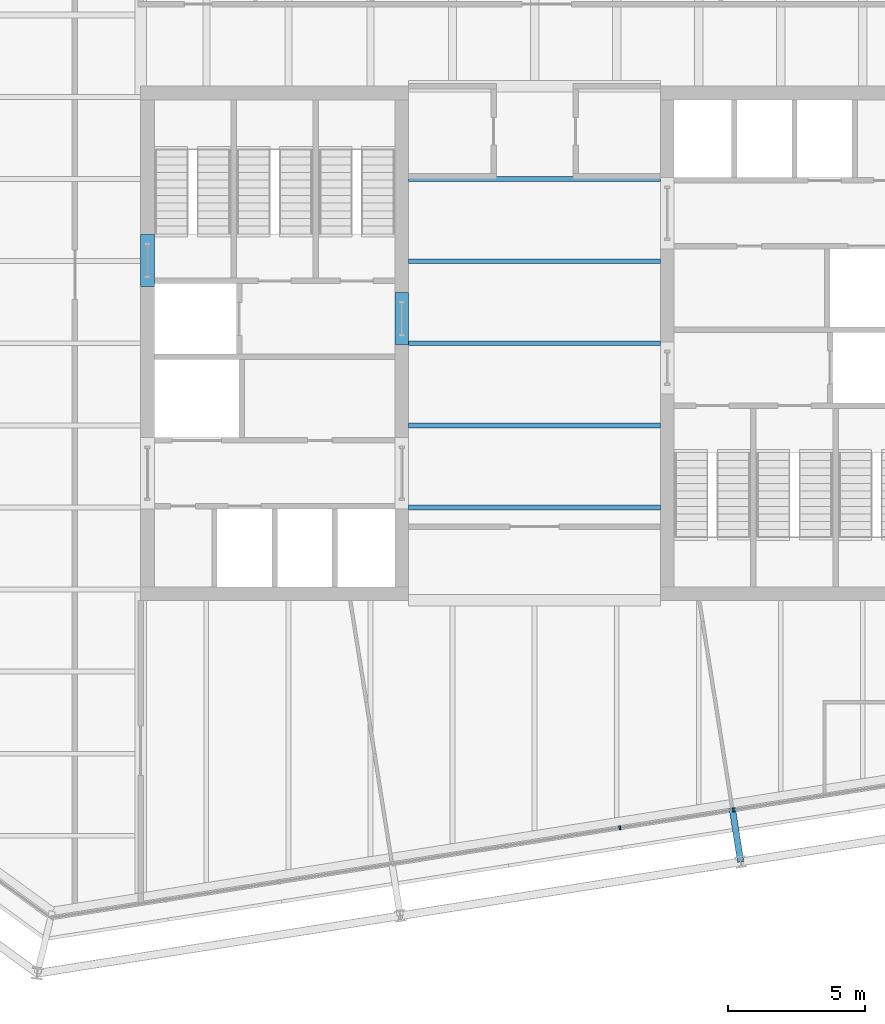
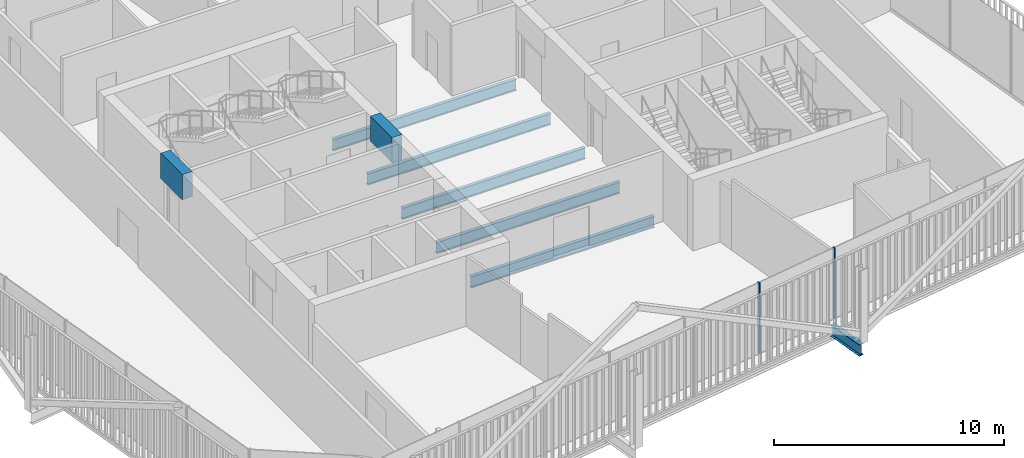
# One storey, part 8 of 21: 8 beams, 2 members, 1 element without a shape of its own.
"""IFC4 building model written with IfcOpenShell, lengths in metres."""

from ifc_helpers import new_model, si_unit, direction, frame, origin, origin_2d, place, context, subcontext, project, spatial, rectangle, i_section, extrude, material, layer, layer_set, material_profile, profile_set, type_object, element, aggregate, save


model = new_model("IFC4")

# Units and contexts
model_context = context("Model", 3, precision=1e-05, world=origin(), true_north=direction((0.0, 1.0)))
body_context = subcontext(model_context, "Body", "Model", "MODEL_VIEW")
ifc_project = project(units=[si_unit("LENGTHUNIT", "METRE"), si_unit("AREAUNIT", "SQUARE_METRE"), si_unit("VOLUMEUNIT", "CUBIC_METRE"), si_unit("PLANEANGLEUNIT", "RADIAN"), si_unit("MASSUNIT", "GRAM", prefix="KILO")], contexts=[model_context])

# Site, building, storey
site_placement = place(None, origin())
site = spatial("IfcSite", under=ifc_project, at=site_placement, CompositionType="ELEMENT")
building_placement = place(site_placement, origin())
building = spatial("IfcBuilding", under=site, at=building_placement, Name="Millrace Tower", CompositionType="ELEMENT")
storey_placement = place(building_placement, frame((0.0, 0.0, 228.10009765625)))
storey = spatial("IfcBuildingStorey", under=building, at=storey_placement, Name="L52", CompositionType="ELEMENT", Elevation=228.10009765625)

# Curtain wall, members
ifc_material_1 = material(Name="Aluminium and glass", Category="aluminium")
ifc_layer = layer(ifc_material_1, 0.14990234375)
ifc_layer_set = layer_set([ifc_layer], Name="Aluminium and glass")
curtain_wall_type = type_object("IfcCurtainWallType", Name="CW-1 office vision curtain wall", PredefinedType="NOTDEFINED", material=ifc_layer_set)
curtain_wall_placement = place(storey_placement, origin())
curtain_wall = element("IfcCurtainWall", 1, at=curtain_wall_placement, inside=storey, type_object=curtain_wall_type, Name="Curtain wall D-F02 L52", PredefinedType="NOTDEFINED")
ifc_material_2 = material(Name="Aluminium", Category="aluminium")
ifc_material_profile_1 = material_profile(ifc_material_2, rectangle(XDim=0.06494140625, YDim=0.14990234375, at=origin_2d()))
ifc_profile_set_1 = profile_set([ifc_material_profile_1], Name="Aluminium")
member_type = type_object("IfcMemberType", Name="CW-1 office vision curtain wall mullion", PredefinedType="MULLION", material=ifc_profile_set_1)
member_1_placement = place(storey_placement, frame((3.115966796875, -17.707275390625, 0.139892578125), z_axis=(0.0, 0.0, 1.0), x_axis=(0.987688339511, 0.156434471884, 0.0)))
member_1 = element("IfcMember", 2, at=member_1_placement, type_object=member_type, Name="CW1 mullion D-F02.6", PredefinedType="MULLION", context=body_context, shape_type="SweptSolid", body=[
    extrude(rectangle(XDim=0.06494140625, YDim=0.14990234375, at=origin_2d()), origin(), (0.0, 0.0, 1.0), 3.760009765625),
])
member_2_placement = place(storey_placement, frame((7.26416015625, -17.05029296875, 0.139892578125), z_axis=(0.0, 0.0, 1.0), x_axis=(0.987688339511, 0.156434471884, 0.0)))
member_2 = element("IfcMember", 3, at=member_2_placement, type_object=member_type, Name="CW1 mullion D-F02.7", PredefinedType="MULLION", context=body_context, shape_type="SweptSolid", body=[
    extrude(rectangle(XDim=0.06494140625, YDim=0.14990234375, at=origin_2d()), origin(), (0.0, 0.0, 1.0), 3.760009765625),
])
aggregate(curtain_wall, [member_1, member_2])

# Beams
ifc_material_3 = material(Name="Concrete C60", Category="concrete")
ifc_material_profile_2 = material_profile(ifc_material_3, rectangle(XDim=0.5, YDim=1.340087890625, at=origin_2d()))
ifc_profile_set_2 = profile_set([ifc_material_profile_2], Name="Concrete C60")
beam_type_1 = type_object("IfcBeamType", Name="Coupling beam 500 x 1340 Concrete C60, 1300 opening", PredefinedType="BEAM", material=ifc_profile_set_2)
beam_1_placement = place(storey_placement, frame((-14.14990234375, 2.080078125, 3.06982421875), z_axis=(0.0, 1.0, 0.0), x_axis=(-1.0, 0.0, 0.0)))
element("IfcBeam", 4, at=beam_1_placement, inside=storey, type_object=beam_type_1, Name="Coupling beam W L52", PredefinedType="BEAM", context=body_context, shape_type="SweptSolid", body=[
    extrude(rectangle(XDim=0.5, YDim=1.340087890625, at=origin_2d()), origin(), (0.0, 0.0, 1.0), 1.89990234375),
])
beam_2_placement = place(storey_placement, frame((-4.85009765625, -0.050048828125, 3.06982421875), z_axis=(0.0, 1.0, 0.0), x_axis=(-1.0, 0.0, 0.0)))
element("IfcBeam", 5, at=beam_2_placement, inside=storey, type_object=beam_type_1, Name="Coupling beam W L52", PredefinedType="BEAM", context=body_context, shape_type="SweptSolid", body=[
    extrude(rectangle(XDim=0.5, YDim=1.340087890625, at=origin_2d()), origin(), (0.0, 0.0, 1.0), 1.900146484375),
])
ifc_material_4 = material(Name="Steel ASTM A992 Grade 50", Category="steel")
ifc_material_profile_3 = material_profile(ifc_material_4, i_section(OverallWidth=0.177978515625, OverallDepth=0.599365234375, WebThickness=0.010009765625, FlangeThickness=0.012939453125, FilletRadius=0.012939453125, at=origin_2d()))
ifc_profile_set_3 = profile_set([ifc_material_profile_3], Name="Steel ASTM A992 Grade 50")
beam_type_2 = type_object("IfcBeamType", Name="Floor beam W24x55", PredefinedType="JOIST", material=ifc_profile_set_3)
for number, where, z_axis, x_axis, name in (
    (6, (-4.60009765625, -6.0, -0.459716796875), (1.0, 0.0, 0.0), (0.0, 1.0, 0.0), "BM-D-L52-S1-S008"),
    (7, (-4.60009765625, -3.0, -0.459716796875), (1.0, 0.0, 0.0), (0.0, 1.0, 0.0), "BM-D-L52-S1-S011"),
    (8, (-4.60009765625, 0.0, -0.459716796875), (1.0, 0.0, 0.0), (0.0, 1.0, 0.0), "BM-D-L52-S1-S014"),
    (9, (-4.60009765625, 3.0, -0.459716796875), (1.0, 0.0, 0.0), (0.0, 1.0, 0.0), "BM-D-L52-S1-S017"),
    (10, (-4.60009765625, 6.0, -0.459716796875), (1.0, 0.0, 0.0), (0.0, 1.0, 0.0), "BM-D-L52-S1-S020"),
):
    element("IfcBeam", number, at=place(storey_placement, frame(where, z_axis=z_axis, x_axis=x_axis)), inside=storey, type_object=beam_type_2, Name=name, PredefinedType="JOIST", context=body_context, shape_type="SweptSolid", body=[
        extrude(i_section(OverallWidth=0.177978515625, OverallDepth=0.599365234375, WebThickness=0.010009765625, FlangeThickness=0.012939453125, FilletRadius=0.012939453125, at=origin_2d()), origin(), (0.0, 0.0, 1.0), 9.2001953125),
    ])
ifc_material_5 = material(Name="Steel ASTM A992 Grade 50", Category="steel")
ifc_material_profile_4 = material_profile(ifc_material_5, i_section(OverallWidth=0.23046875, OverallDepth=0.6171875, WebThickness=0.01318359375, FlangeThickness=0.022216796875, FilletRadius=0.012939453125, at=origin_2d()))
ifc_profile_set_4 = profile_set([ifc_material_profile_4], Name="Steel ASTM A992 Grade 50")
beam_type_3 = type_object("IfcBeamType", Name="Link beam W24x94", PredefinedType="BEAM", material=ifc_profile_set_4)
beam_3_placement = place(storey_placement, frame((7.220458984375, -16.981201171875, -0.46875), z_axis=(0.156357438014, -0.987700537399, 0.0), x_axis=(0.987700537399, 0.156357438014, 0.0)))
element("IfcBeam", 11, at=beam_3_placement, inside=storey, type_object=beam_type_3, Name="LNK-D-L52-S1-14", PredefinedType="BEAM", context=body_context, shape_type="SweptSolid", body=[
    extrude(i_section(OverallWidth=0.23046875, OverallDepth=0.6171875, WebThickness=0.01318359375, FlangeThickness=0.022216796875, FilletRadius=0.012939453125, at=origin_2d()), origin(), (0.0, 0.0, 1.0), 2.000244140625),
])

save(model, "model.ifc")
